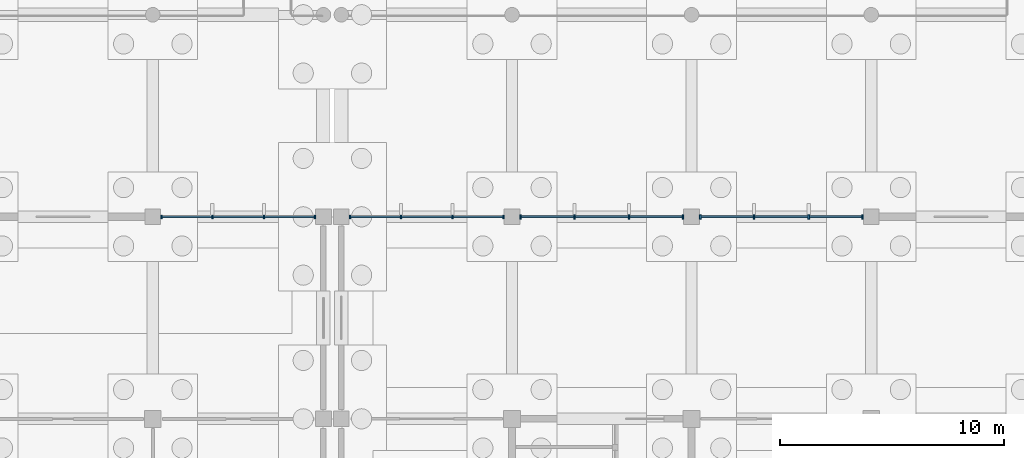
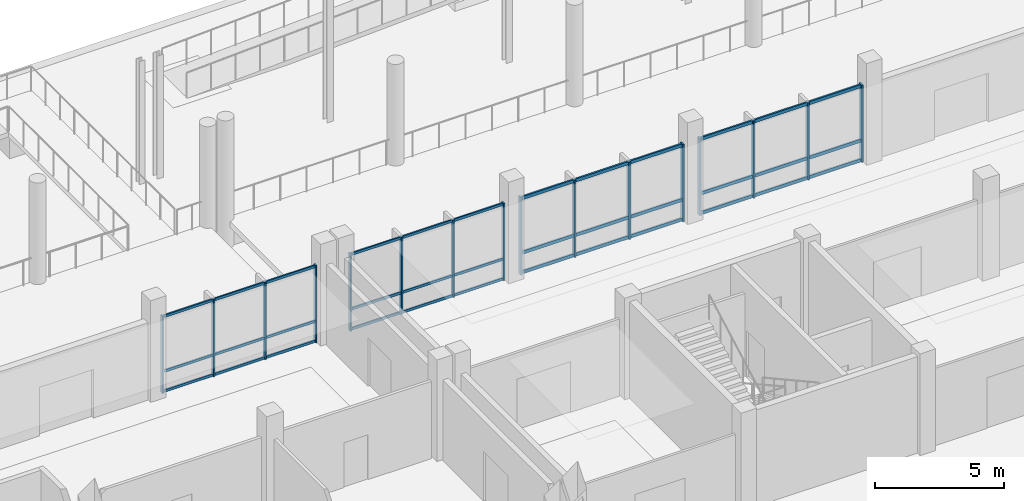
# One storey, part 27 of 72: 52 members, 4 elements without a shape of their own.
"""IFC4 building model written with IfcOpenShell, lengths in metres."""

from ifc_helpers import new_model, si_unit, direction, frame, origin, origin_2d, place, context, subcontext, project, spatial, rectangle, extrude, material, material_profile, profile_set, type_object, element, aggregate, save


model = new_model("IFC4")

# Units and contexts
model_context = context("Model", 3, precision=1e-05, world=origin(), true_north=direction((0.0, 1.0)))
body_context = subcontext(model_context, "Body", "Model", "MODEL_VIEW")
ifc_project = project(units=[si_unit("LENGTHUNIT", "METRE"), si_unit("AREAUNIT", "SQUARE_METRE"), si_unit("VOLUMEUNIT", "CUBIC_METRE"), si_unit("PLANEANGLEUNIT", "RADIAN"), si_unit("MASSUNIT", "GRAM", prefix="KILO"), si_unit("THERMODYNAMICTEMPERATUREUNIT", "KELVIN"), si_unit("POWERUNIT", "WATT")], contexts=[model_context])

# Site, building, storey
site_placement = place(None, origin())
site = spatial("IfcSite", under=ifc_project, at=site_placement, CompositionType="ELEMENT")
building_placement = place(site_placement, origin())
building = spatial("IfcBuilding", under=site, at=building_placement, Name="Kronsvod Quay Wholesale Market", CompositionType="ELEMENT")
storey_placement = place(building_placement, origin())
storey = spatial("IfcBuildingStorey", under=building, at=storey_placement, Name="L00", CompositionType="ELEMENT", Elevation=0.0)

# Curtain wall, members
ifc_material_1 = material(Name="Thermally broken aluminium and triple low-E glazing", Category="aluminium")
curtain_wall_type_1 = type_object("IfcCurtainWallType", Name="CW_Colonnade76x39", PredefinedType="NOTDEFINED", material=ifc_material_1)
curtain_wall_1_placement = place(storey_placement, origin())
curtain_wall_1 = element("IfcCurtainWall", 1, at=curtain_wall_1_placement, inside=storey, type_object=curtain_wall_type_1, Name="CWGX-L00-560-1170", PredefinedType="NOTDEFINED")
ifc_material_2 = material(Name="Anodised aluminium", Category="aluminium")
ifc_material_profile_1 = material_profile(ifc_material_2, rectangle(XDim=0.06494140625, YDim=0.159912109375, at=origin_2d()), Name="ALUM65x160")
ifc_profile_set_1 = profile_set([ifc_material_profile_1], Name="Anodised aluminium")
member_type_1 = type_object("IfcMemberType", Name="Mullion_ALU65x160", PredefinedType="MULLION", material=ifc_profile_set_1)
member_1_placement = place(storey_placement, frame((63.222412109375, 117.0, 0.0), z_axis=(0.0, 0.0, 1.0), x_axis=(1.0, 0.0, 0.0)))
member_1 = element("IfcMember", 2, at=member_1_placement, type_object=member_type_1, Name="CWGX-L00-560-1170-M1", PredefinedType="MULLION", context=body_context, shape_type="SweptSolid", body=[
    extrude(rectangle(XDim=0.06494140625, YDim=0.159912109375, at=origin_2d()), origin(), (0.0, 0.0, 1.0), 3.64990234375),
])
member_2_placement = place(storey_placement, frame((60.95166015625, 117.0, 0.0), z_axis=(0.0, 0.0, 1.0), x_axis=(1.0, 0.0, 0.0)))
member_2 = element("IfcMember", 3, at=member_2_placement, type_object=member_type_1, Name="CWGX-L00-560-1170-M2", PredefinedType="MULLION", context=body_context, shape_type="SweptSolid", body=[
    extrude(rectangle(XDim=0.06494140625, YDim=0.159912109375, at=origin_2d()), origin(), (0.0, 0.0, 1.0), 3.64990234375),
])
member_3_placement = place(storey_placement, frame((58.6484375, 117.0, 0.0), z_axis=(0.0, 0.0, 1.0), x_axis=(1.0, 0.0, 0.0)))
member_3 = element("IfcMember", 4, at=member_3_placement, type_object=member_type_1, Name="CWGX-L00-560-1170-M3", PredefinedType="MULLION", context=body_context, shape_type="SweptSolid", body=[
    extrude(rectangle(XDim=0.06494140625, YDim=0.159912109375, at=origin_2d()), origin(), (0.0, 0.0, 1.0), 3.64990234375),
])
member_4_placement = place(storey_placement, frame((56.37744140625, 117.0, 0.0), z_axis=(0.0, 0.0, 1.0), x_axis=(1.0, 0.0, 0.0)))
member_4 = element("IfcMember", 5, at=member_4_placement, type_object=member_type_1, Name="CWGX-L00-560-1170-M4", PredefinedType="MULLION", context=body_context, shape_type="SweptSolid", body=[
    extrude(rectangle(XDim=0.06494140625, YDim=0.159912109375, at=origin_2d()), origin(), (0.0, 0.0, 1.0), 3.64990234375),
])

curtain_wall_2_placement = place(storey_placement, origin())
curtain_wall_2 = element("IfcCurtainWall", 6, at=curtain_wall_2_placement, inside=storey, type_object=curtain_wall_type_1, Name="CWGX-L00-644-1170", PredefinedType="NOTDEFINED")
member_5_placement = place(storey_placement, frame((71.62255859375, 117.0, 0.0), z_axis=(0.0, 0.0, 1.0), x_axis=(1.0, 0.0, 0.0)))
member_5 = element("IfcMember", 7, at=member_5_placement, type_object=member_type_1, Name="CWGX-L00-644-1170-M1", PredefinedType="MULLION", context=body_context, shape_type="SweptSolid", body=[
    extrude(rectangle(XDim=0.06494140625, YDim=0.159912109375, at=origin_2d()), origin(), (0.0, 0.0, 1.0), 3.64990234375),
])
member_6_placement = place(storey_placement, frame((69.3515625, 117.0, 0.0), z_axis=(0.0, 0.0, 1.0), x_axis=(1.0, 0.0, 0.0)))
member_6 = element("IfcMember", 8, at=member_6_placement, type_object=member_type_1, Name="CWGX-L00-644-1170-M2", PredefinedType="MULLION", context=body_context, shape_type="SweptSolid", body=[
    extrude(rectangle(XDim=0.06494140625, YDim=0.159912109375, at=origin_2d()), origin(), (0.0, 0.0, 1.0), 3.64990234375),
])
member_7_placement = place(storey_placement, frame((67.04833984375, 117.0, 0.0), z_axis=(0.0, 0.0, 1.0), x_axis=(1.0, 0.0, 0.0)))
member_7 = element("IfcMember", 9, at=member_7_placement, type_object=member_type_1, Name="CWGX-L00-644-1170-M3", PredefinedType="MULLION", context=body_context, shape_type="SweptSolid", body=[
    extrude(rectangle(XDim=0.06494140625, YDim=0.159912109375, at=origin_2d()), origin(), (0.0, 0.0, 1.0), 3.64990234375),
])
member_8_placement = place(storey_placement, frame((64.777587890625, 117.0, 0.0), z_axis=(0.0, 0.0, 1.0), x_axis=(1.0, 0.0, 0.0)))
member_8 = element("IfcMember", 10, at=member_8_placement, type_object=member_type_1, Name="CWGX-L00-644-1170-M4", PredefinedType="MULLION", context=body_context, shape_type="SweptSolid", body=[
    extrude(rectangle(XDim=0.06494140625, YDim=0.159912109375, at=origin_2d()), origin(), (0.0, 0.0, 1.0), 3.64990234375),
])

ifc_material_3 = material(Name="Thermally broken aluminium and triple low-E glazing", Category="aluminium")
curtain_wall_type_2 = type_object("IfcCurtainWallType", Name="CW_Colonnade80x39", PredefinedType="NOTDEFINED", material=ifc_material_3)
curtain_wall_3_placement = place(storey_placement, origin())
curtain_wall_3 = element("IfcCurtainWall", 11, at=curtain_wall_3_placement, inside=storey, type_object=curtain_wall_type_2, Name="CWGX-L00-720-1170", PredefinedType="NOTDEFINED")
ifc_material_4 = material(Name="Anodised aluminium", Category="aluminium")
ifc_material_profile_2 = material_profile(ifc_material_4, rectangle(XDim=0.074951171875, YDim=0.199951171875, at=origin_2d()), Name="ALUM75x200")
ifc_profile_set_2 = profile_set([ifc_material_profile_2], Name="Anodised aluminium")
member_type_2 = type_object("IfcMemberType", Name="Mullion_ALU75x200", PredefinedType="MULLION", material=ifc_profile_set_2)
member_9_placement = place(storey_placement, frame((79.617431640625, 117.0, 0.0), z_axis=(0.0, 0.0, 1.0), x_axis=(1.0, 0.0, 0.0)))
member_9 = element("IfcMember", 12, at=member_9_placement, type_object=member_type_2, Name="CWGX-L00-720-1170-M1", PredefinedType="MULLION", context=body_context, shape_type="SweptSolid", body=[
    extrude(rectangle(XDim=0.074951171875, YDim=0.199951171875, at=origin_2d()), origin(), (0.0, 0.0, 1.0), 3.64990234375),
])
member_10_placement = place(storey_placement, frame((77.21826171875, 117.0, 0.0), z_axis=(0.0, 0.0, 1.0), x_axis=(1.0, 0.0, 0.0)))
member_10 = element("IfcMember", 13, at=member_10_placement, type_object=member_type_2, Name="CWGX-L00-720-1170-M2", PredefinedType="MULLION", context=body_context, shape_type="SweptSolid", body=[
    extrude(rectangle(XDim=0.074951171875, YDim=0.199951171875, at=origin_2d()), origin(), (0.0, 0.0, 1.0), 3.64990234375),
])
member_11_placement = place(storey_placement, frame((74.78173828125, 117.0, 0.0), z_axis=(0.0, 0.0, 1.0), x_axis=(1.0, 0.0, 0.0)))
member_11 = element("IfcMember", 14, at=member_11_placement, type_object=member_type_2, Name="CWGX-L00-720-1170-M3", PredefinedType="MULLION", context=body_context, shape_type="SweptSolid", body=[
    extrude(rectangle(XDim=0.074951171875, YDim=0.199951171875, at=origin_2d()), origin(), (0.0, 0.0, 1.0), 3.64990234375),
])
member_12_placement = place(storey_placement, frame((72.382568359375, 117.0, 0.0), z_axis=(0.0, 0.0, 1.0), x_axis=(1.0, 0.0, 0.0)))
member_12 = element("IfcMember", 15, at=member_12_placement, type_object=member_type_2, Name="CWGX-L00-720-1170-M4", PredefinedType="MULLION", context=body_context, shape_type="SweptSolid", body=[
    extrude(rectangle(XDim=0.074951171875, YDim=0.199951171875, at=origin_2d()), origin(), (0.0, 0.0, 1.0), 3.64990234375),
])

curtain_wall_4_placement = place(storey_placement, origin())
curtain_wall_4 = element("IfcCurtainWall", 16, at=curtain_wall_4_placement, inside=storey, type_object=curtain_wall_type_2, Name="CWGX-L00-800-1170", PredefinedType="NOTDEFINED")
member_13_placement = place(storey_placement, frame((87.617431640625, 117.0, 0.0), z_axis=(0.0, 0.0, 1.0), x_axis=(1.0, 0.0, 0.0)))
member_13 = element("IfcMember", 17, at=member_13_placement, type_object=member_type_2, Name="CWGX-L00-800-1170-M1", PredefinedType="MULLION", context=body_context, shape_type="SweptSolid", body=[
    extrude(rectangle(XDim=0.074951171875, YDim=0.199951171875, at=origin_2d()), origin(), (0.0, 0.0, 1.0), 3.64990234375),
])
member_14_placement = place(storey_placement, frame((85.21826171875, 117.0, 0.0), z_axis=(0.0, 0.0, 1.0), x_axis=(1.0, 0.0, 0.0)))
member_14 = element("IfcMember", 18, at=member_14_placement, type_object=member_type_2, Name="CWGX-L00-800-1170-M2", PredefinedType="MULLION", context=body_context, shape_type="SweptSolid", body=[
    extrude(rectangle(XDim=0.074951171875, YDim=0.199951171875, at=origin_2d()), origin(), (0.0, 0.0, 1.0), 3.64990234375),
])
member_15_placement = place(storey_placement, frame((82.78173828125, 117.0, 0.0), z_axis=(0.0, 0.0, 1.0), x_axis=(1.0, 0.0, 0.0)))
member_15 = element("IfcMember", 19, at=member_15_placement, type_object=member_type_2, Name="CWGX-L00-800-1170-M3", PredefinedType="MULLION", context=body_context, shape_type="SweptSolid", body=[
    extrude(rectangle(XDim=0.074951171875, YDim=0.199951171875, at=origin_2d()), origin(), (0.0, 0.0, 1.0), 3.64990234375),
])
member_16_placement = place(storey_placement, frame((80.382568359375, 117.0, 0.0), z_axis=(0.0, 0.0, 1.0), x_axis=(1.0, 0.0, 0.0)))
member_16 = element("IfcMember", 20, at=member_16_placement, type_object=member_type_2, Name="CWGX-L00-800-1170-M4", PredefinedType="MULLION", context=body_context, shape_type="SweptSolid", body=[
    extrude(rectangle(XDim=0.074951171875, YDim=0.199951171875, at=origin_2d()), origin(), (0.0, 0.0, 1.0), 3.64990234375),
])

# Member
ifc_material_5 = material(Name="Anodised aluminium", Category="aluminium")
ifc_material_profile_3 = material_profile(ifc_material_5, rectangle(XDim=0.06494140625, YDim=0.1201171875, at=origin_2d()), Name="ALUT65x120")
ifc_profile_set_3 = profile_set([ifc_material_profile_3], Name="Anodised aluminium")
member_type_3 = type_object("IfcMemberType", Name="Transom_ALU65x120", PredefinedType="USERDEFINED", material=ifc_profile_set_3)
member_17_placement = place(storey_placement, frame((63.18994140625, 117.0, 0.06005859375), z_axis=(-1.0, 0.0, 0.0), x_axis=(0.0, -1.0, 0.0)))
member_17 = element("IfcMember", 21, at=member_17_placement, type_object=member_type_3, Name="CWGX-L00-560-1170-T1B1", ObjectType="TRANSOM", PredefinedType="USERDEFINED", context=body_context, shape_type="SweptSolid", body=[
    extrude(rectangle(XDim=0.06494140625, YDim=0.1201171875, at=origin_2d()), origin(), (0.0, 0.0, 1.0), 2.205810546875),
])

member_18_placement = place(storey_placement, frame((60.919189453125, 117.0, 0.06005859375), z_axis=(-1.0, 0.0, 0.0), x_axis=(0.0, -1.0, 0.0)))
member_18 = element("IfcMember", 22, at=member_18_placement, type_object=member_type_3, Name="CWGX-L00-560-1170-T1B2", ObjectType="TRANSOM", PredefinedType="USERDEFINED", context=body_context, shape_type="SweptSolid", body=[
    extrude(rectangle(XDim=0.06494140625, YDim=0.1201171875, at=origin_2d()), origin(), (0.0, 0.0, 1.0), 2.23828125),
])

member_19_placement = place(storey_placement, frame((58.61572265625, 117.0, 0.06005859375), z_axis=(-1.0, 0.0, 0.0), x_axis=(0.0, -1.0, 0.0)))
member_19 = element("IfcMember", 23, at=member_19_placement, type_object=member_type_3, Name="CWGX-L00-560-1170-T1B3", ObjectType="TRANSOM", PredefinedType="USERDEFINED", context=body_context, shape_type="SweptSolid", body=[
    extrude(rectangle(XDim=0.06494140625, YDim=0.1201171875, at=origin_2d()), origin(), (0.0, 0.0, 1.0), 2.205810546875),
])

member_20_placement = place(storey_placement, frame((63.18994140625, 117.0, 1.0), z_axis=(-1.0, 0.0, 0.0), x_axis=(0.0, -1.0, 0.0)))
member_20 = element("IfcMember", 24, at=member_20_placement, type_object=member_type_3, Name="CWGX-L00-560-1170-T2B1", ObjectType="TRANSOM", PredefinedType="USERDEFINED", context=body_context, shape_type="SweptSolid", body=[
    extrude(rectangle(XDim=0.06494140625, YDim=0.1201171875, at=origin_2d()), origin(), (0.0, 0.0, 1.0), 2.205810546875),
])

member_21_placement = place(storey_placement, frame((60.919189453125, 117.0, 1.0), z_axis=(-1.0, 0.0, 0.0), x_axis=(0.0, -1.0, 0.0)))
member_21 = element("IfcMember", 25, at=member_21_placement, type_object=member_type_3, Name="CWGX-L00-560-1170-T2B2", ObjectType="TRANSOM", PredefinedType="USERDEFINED", context=body_context, shape_type="SweptSolid", body=[
    extrude(rectangle(XDim=0.06494140625, YDim=0.1201171875, at=origin_2d()), origin(), (0.0, 0.0, 1.0), 2.23828125),
])

member_22_placement = place(storey_placement, frame((58.61572265625, 117.0, 1.0), z_axis=(-1.0, 0.0, 0.0), x_axis=(0.0, -1.0, 0.0)))
member_22 = element("IfcMember", 26, at=member_22_placement, type_object=member_type_3, Name="CWGX-L00-560-1170-T2B3", ObjectType="TRANSOM", PredefinedType="USERDEFINED", context=body_context, shape_type="SweptSolid", body=[
    extrude(rectangle(XDim=0.06494140625, YDim=0.1201171875, at=origin_2d()), origin(), (0.0, 0.0, 1.0), 2.205810546875),
])

member_23_placement = place(storey_placement, frame((63.18994140625, 117.0, 3.590087890625), z_axis=(-1.0, 0.0, 0.0), x_axis=(0.0, -1.0, 0.0)))
member_23 = element("IfcMember", 27, at=member_23_placement, type_object=member_type_3, Name="CWGX-L00-560-1170-T3B1", ObjectType="TRANSOM", PredefinedType="USERDEFINED", context=body_context, shape_type="SweptSolid", body=[
    extrude(rectangle(XDim=0.06494140625, YDim=0.1201171875, at=origin_2d()), origin(), (0.0, 0.0, 1.0), 2.205810546875),
])

member_24_placement = place(storey_placement, frame((60.919189453125, 117.0, 3.590087890625), z_axis=(-1.0, 0.0, 0.0), x_axis=(0.0, -1.0, 0.0)))
member_24 = element("IfcMember", 28, at=member_24_placement, type_object=member_type_3, Name="CWGX-L00-560-1170-T3B2", ObjectType="TRANSOM", PredefinedType="USERDEFINED", context=body_context, shape_type="SweptSolid", body=[
    extrude(rectangle(XDim=0.06494140625, YDim=0.1201171875, at=origin_2d()), origin(), (0.0, 0.0, 1.0), 2.23828125),
])

member_25_placement = place(storey_placement, frame((58.61572265625, 117.0, 3.590087890625), z_axis=(-1.0, 0.0, 0.0), x_axis=(0.0, -1.0, 0.0)))
member_25 = element("IfcMember", 29, at=member_25_placement, type_object=member_type_3, Name="CWGX-L00-560-1170-T3B3", ObjectType="TRANSOM", PredefinedType="USERDEFINED", context=body_context, shape_type="SweptSolid", body=[
    extrude(rectangle(XDim=0.06494140625, YDim=0.1201171875, at=origin_2d()), origin(), (0.0, 0.0, 1.0), 2.205810546875),
])

aggregate(curtain_wall_1, [member_1, member_2, member_3, member_4, member_17, member_18, member_19, member_20, member_21, member_22, member_23, member_24, member_25])

member_26_placement = place(storey_placement, frame((71.590087890625, 117.0, 0.06005859375), z_axis=(-1.0, 0.0, 0.0), x_axis=(0.0, -1.0, 0.0)))
member_26 = element("IfcMember", 30, at=member_26_placement, type_object=member_type_3, Name="CWGX-L00-644-1170-T1B1", ObjectType="TRANSOM", PredefinedType="USERDEFINED", context=body_context, shape_type="SweptSolid", body=[
    extrude(rectangle(XDim=0.06494140625, YDim=0.1201171875, at=origin_2d()), origin(), (0.0, 0.0, 1.0), 2.205810546875),
])

member_27_placement = place(storey_placement, frame((69.319091796875, 117.0, 0.06005859375), z_axis=(-1.0, 0.0, 0.0), x_axis=(0.0, -1.0, 0.0)))
member_27 = element("IfcMember", 31, at=member_27_placement, type_object=member_type_3, Name="CWGX-L00-644-1170-T1B2", ObjectType="TRANSOM", PredefinedType="USERDEFINED", context=body_context, shape_type="SweptSolid", body=[
    extrude(rectangle(XDim=0.06494140625, YDim=0.1201171875, at=origin_2d()), origin(), (0.0, 0.0, 1.0), 2.23828125),
])

member_28_placement = place(storey_placement, frame((67.015869140625, 117.0, 0.06005859375), z_axis=(-1.0, 0.0, 0.0), x_axis=(0.0, -1.0, 0.0)))
member_28 = element("IfcMember", 32, at=member_28_placement, type_object=member_type_3, Name="CWGX-L00-644-1170-T1B3", ObjectType="TRANSOM", PredefinedType="USERDEFINED", context=body_context, shape_type="SweptSolid", body=[
    extrude(rectangle(XDim=0.06494140625, YDim=0.1201171875, at=origin_2d()), origin(), (0.0, 0.0, 1.0), 2.205810546875),
])

member_29_placement = place(storey_placement, frame((71.590087890625, 117.0, 1.0), z_axis=(-1.0, 0.0, 0.0), x_axis=(0.0, -1.0, 0.0)))
member_29 = element("IfcMember", 33, at=member_29_placement, type_object=member_type_3, Name="CWGX-L00-644-1170-T2B1", ObjectType="TRANSOM", PredefinedType="USERDEFINED", context=body_context, shape_type="SweptSolid", body=[
    extrude(rectangle(XDim=0.06494140625, YDim=0.1201171875, at=origin_2d()), origin(), (0.0, 0.0, 1.0), 2.205810546875),
])

member_30_placement = place(storey_placement, frame((69.319091796875, 117.0, 1.0), z_axis=(-1.0, 0.0, 0.0), x_axis=(0.0, -1.0, 0.0)))
member_30 = element("IfcMember", 34, at=member_30_placement, type_object=member_type_3, Name="CWGX-L00-644-1170-T2B2", ObjectType="TRANSOM", PredefinedType="USERDEFINED", context=body_context, shape_type="SweptSolid", body=[
    extrude(rectangle(XDim=0.06494140625, YDim=0.1201171875, at=origin_2d()), origin(), (0.0, 0.0, 1.0), 2.23828125),
])

member_31_placement = place(storey_placement, frame((67.015869140625, 117.0, 1.0), z_axis=(-1.0, 0.0, 0.0), x_axis=(0.0, -1.0, 0.0)))
member_31 = element("IfcMember", 35, at=member_31_placement, type_object=member_type_3, Name="CWGX-L00-644-1170-T2B3", ObjectType="TRANSOM", PredefinedType="USERDEFINED", context=body_context, shape_type="SweptSolid", body=[
    extrude(rectangle(XDim=0.06494140625, YDim=0.1201171875, at=origin_2d()), origin(), (0.0, 0.0, 1.0), 2.205810546875),
])

member_32_placement = place(storey_placement, frame((71.590087890625, 117.0, 3.590087890625), z_axis=(-1.0, 0.0, 0.0), x_axis=(0.0, -1.0, 0.0)))
member_32 = element("IfcMember", 36, at=member_32_placement, type_object=member_type_3, Name="CWGX-L00-644-1170-T3B1", ObjectType="TRANSOM", PredefinedType="USERDEFINED", context=body_context, shape_type="SweptSolid", body=[
    extrude(rectangle(XDim=0.06494140625, YDim=0.1201171875, at=origin_2d()), origin(), (0.0, 0.0, 1.0), 2.205810546875),
])

member_33_placement = place(storey_placement, frame((69.319091796875, 117.0, 3.590087890625), z_axis=(-1.0, 0.0, 0.0), x_axis=(0.0, -1.0, 0.0)))
member_33 = element("IfcMember", 37, at=member_33_placement, type_object=member_type_3, Name="CWGX-L00-644-1170-T3B2", ObjectType="TRANSOM", PredefinedType="USERDEFINED", context=body_context, shape_type="SweptSolid", body=[
    extrude(rectangle(XDim=0.06494140625, YDim=0.1201171875, at=origin_2d()), origin(), (0.0, 0.0, 1.0), 2.23828125),
])

member_34_placement = place(storey_placement, frame((67.015869140625, 117.0, 3.590087890625), z_axis=(-1.0, 0.0, 0.0), x_axis=(0.0, -1.0, 0.0)))
member_34 = element("IfcMember", 38, at=member_34_placement, type_object=member_type_3, Name="CWGX-L00-644-1170-T3B3", ObjectType="TRANSOM", PredefinedType="USERDEFINED", context=body_context, shape_type="SweptSolid", body=[
    extrude(rectangle(XDim=0.06494140625, YDim=0.1201171875, at=origin_2d()), origin(), (0.0, 0.0, 1.0), 2.205810546875),
])

aggregate(curtain_wall_2, [member_5, member_6, member_7, member_8, member_26, member_27, member_28, member_29, member_30, member_31, member_32, member_33, member_34])

ifc_material_6 = material(Name="Anodised aluminium", Category="aluminium")
ifc_material_profile_4 = material_profile(ifc_material_6, rectangle(XDim=0.074951171875, YDim=0.14990234375, at=origin_2d()), Name="ALUT75x150")
ifc_profile_set_4 = profile_set([ifc_material_profile_4], Name="Anodised aluminium")
member_type_4 = type_object("IfcMemberType", Name="Transom_ALU75x150", PredefinedType="USERDEFINED", material=ifc_profile_set_4)
member_35_placement = place(storey_placement, frame((79.580078125, 117.0, 0.074951171875), z_axis=(-1.0, 0.0, 0.0), x_axis=(0.0, -1.0, 0.0)))
member_35 = element("IfcMember", 39, at=member_35_placement, type_object=member_type_4, Name="CWGX-L00-720-1170-T1B1", ObjectType="TRANSOM", PredefinedType="USERDEFINED", context=body_context, shape_type="SweptSolid", body=[
    extrude(rectangle(XDim=0.074951171875, YDim=0.14990234375, at=origin_2d()), origin(), (0.0, 0.0, 1.0), 2.32421875),
])

member_36_placement = place(storey_placement, frame((77.180908203125, 117.0, 0.074951171875), z_axis=(-1.0, 0.0, 0.0), x_axis=(0.0, -1.0, 0.0)))
member_36 = element("IfcMember", 40, at=member_36_placement, type_object=member_type_4, Name="CWGX-L00-720-1170-T1B2", ObjectType="TRANSOM", PredefinedType="USERDEFINED", context=body_context, shape_type="SweptSolid", body=[
    extrude(rectangle(XDim=0.074951171875, YDim=0.14990234375, at=origin_2d()), origin(), (0.0, 0.0, 1.0), 2.36181640625),
])

member_37_placement = place(storey_placement, frame((74.744140625, 117.0, 0.074951171875), z_axis=(-1.0, 0.0, 0.0), x_axis=(0.0, -1.0, 0.0)))
member_37 = element("IfcMember", 41, at=member_37_placement, type_object=member_type_4, Name="CWGX-L00-720-1170-T1B3", ObjectType="TRANSOM", PredefinedType="USERDEFINED", context=body_context, shape_type="SweptSolid", body=[
    extrude(rectangle(XDim=0.074951171875, YDim=0.14990234375, at=origin_2d()), origin(), (0.0, 0.0, 1.0), 2.32421875),
])

member_38_placement = place(storey_placement, frame((79.580078125, 117.0, 1.0), z_axis=(-1.0, 0.0, 0.0), x_axis=(0.0, -1.0, 0.0)))
member_38 = element("IfcMember", 42, at=member_38_placement, type_object=member_type_4, Name="CWGX-L00-720-1170-T2B1", ObjectType="TRANSOM", PredefinedType="USERDEFINED", context=body_context, shape_type="SweptSolid", body=[
    extrude(rectangle(XDim=0.074951171875, YDim=0.14990234375, at=origin_2d()), origin(), (0.0, 0.0, 1.0), 2.32421875),
])

member_39_placement = place(storey_placement, frame((77.180908203125, 117.0, 1.0), z_axis=(-1.0, 0.0, 0.0), x_axis=(0.0, -1.0, 0.0)))
member_39 = element("IfcMember", 43, at=member_39_placement, type_object=member_type_4, Name="CWGX-L00-720-1170-T2B2", ObjectType="TRANSOM", PredefinedType="USERDEFINED", context=body_context, shape_type="SweptSolid", body=[
    extrude(rectangle(XDim=0.074951171875, YDim=0.14990234375, at=origin_2d()), origin(), (0.0, 0.0, 1.0), 2.36181640625),
])

member_40_placement = place(storey_placement, frame((74.744140625, 117.0, 1.0), z_axis=(-1.0, 0.0, 0.0), x_axis=(0.0, -1.0, 0.0)))
member_40 = element("IfcMember", 44, at=member_40_placement, type_object=member_type_4, Name="CWGX-L00-720-1170-T2B3", ObjectType="TRANSOM", PredefinedType="USERDEFINED", context=body_context, shape_type="SweptSolid", body=[
    extrude(rectangle(XDim=0.074951171875, YDim=0.14990234375, at=origin_2d()), origin(), (0.0, 0.0, 1.0), 2.32421875),
])

member_41_placement = place(storey_placement, frame((79.580078125, 117.0, 3.574951171875), z_axis=(-1.0, 0.0, 0.0), x_axis=(0.0, -1.0, 0.0)))
member_41 = element("IfcMember", 45, at=member_41_placement, type_object=member_type_4, Name="CWGX-L00-720-1170-T3B1", ObjectType="TRANSOM", PredefinedType="USERDEFINED", context=body_context, shape_type="SweptSolid", body=[
    extrude(rectangle(XDim=0.074951171875, YDim=0.14990234375, at=origin_2d()), origin(), (0.0, 0.0, 1.0), 2.32421875),
])

member_42_placement = place(storey_placement, frame((77.180908203125, 117.0, 3.574951171875), z_axis=(-1.0, 0.0, 0.0), x_axis=(0.0, -1.0, 0.0)))
member_42 = element("IfcMember", 46, at=member_42_placement, type_object=member_type_4, Name="CWGX-L00-720-1170-T3B2", ObjectType="TRANSOM", PredefinedType="USERDEFINED", context=body_context, shape_type="SweptSolid", body=[
    extrude(rectangle(XDim=0.074951171875, YDim=0.14990234375, at=origin_2d()), origin(), (0.0, 0.0, 1.0), 2.36181640625),
])

member_43_placement = place(storey_placement, frame((74.744140625, 117.0, 3.574951171875), z_axis=(-1.0, 0.0, 0.0), x_axis=(0.0, -1.0, 0.0)))
member_43 = element("IfcMember", 47, at=member_43_placement, type_object=member_type_4, Name="CWGX-L00-720-1170-T3B3", ObjectType="TRANSOM", PredefinedType="USERDEFINED", context=body_context, shape_type="SweptSolid", body=[
    extrude(rectangle(XDim=0.074951171875, YDim=0.14990234375, at=origin_2d()), origin(), (0.0, 0.0, 1.0), 2.32421875),
])

aggregate(curtain_wall_3, [member_9, member_10, member_11, member_12, member_35, member_36, member_37, member_38, member_39, member_40, member_41, member_42, member_43])

member_44_placement = place(storey_placement, frame((87.580078125, 117.0, 0.074951171875), z_axis=(-1.0, 0.0, 0.0), x_axis=(0.0, -1.0, 0.0)))
member_44 = element("IfcMember", 48, at=member_44_placement, type_object=member_type_4, Name="CWGX-L00-800-1170-T1B1", ObjectType="TRANSOM", PredefinedType="USERDEFINED", context=body_context, shape_type="SweptSolid", body=[
    extrude(rectangle(XDim=0.074951171875, YDim=0.14990234375, at=origin_2d()), origin(), (0.0, 0.0, 1.0), 2.32421875),
])

member_45_placement = place(storey_placement, frame((85.180908203125, 117.0, 0.074951171875), z_axis=(-1.0, 0.0, 0.0), x_axis=(0.0, -1.0, 0.0)))
member_45 = element("IfcMember", 49, at=member_45_placement, type_object=member_type_4, Name="CWGX-L00-800-1170-T1B2", ObjectType="TRANSOM", PredefinedType="USERDEFINED", context=body_context, shape_type="SweptSolid", body=[
    extrude(rectangle(XDim=0.074951171875, YDim=0.14990234375, at=origin_2d()), origin(), (0.0, 0.0, 1.0), 2.36181640625),
])

member_46_placement = place(storey_placement, frame((82.744140625, 117.0, 0.074951171875), z_axis=(-1.0, 0.0, 0.0), x_axis=(0.0, -1.0, 0.0)))
member_46 = element("IfcMember", 50, at=member_46_placement, type_object=member_type_4, Name="CWGX-L00-800-1170-T1B3", ObjectType="TRANSOM", PredefinedType="USERDEFINED", context=body_context, shape_type="SweptSolid", body=[
    extrude(rectangle(XDim=0.074951171875, YDim=0.14990234375, at=origin_2d()), origin(), (0.0, 0.0, 1.0), 2.32421875),
])

member_47_placement = place(storey_placement, frame((87.580078125, 117.0, 1.0), z_axis=(-1.0, 0.0, 0.0), x_axis=(0.0, -1.0, 0.0)))
member_47 = element("IfcMember", 51, at=member_47_placement, type_object=member_type_4, Name="CWGX-L00-800-1170-T2B1", ObjectType="TRANSOM", PredefinedType="USERDEFINED", context=body_context, shape_type="SweptSolid", body=[
    extrude(rectangle(XDim=0.074951171875, YDim=0.14990234375, at=origin_2d()), origin(), (0.0, 0.0, 1.0), 2.32421875),
])

member_48_placement = place(storey_placement, frame((85.180908203125, 117.0, 1.0), z_axis=(-1.0, 0.0, 0.0), x_axis=(0.0, -1.0, 0.0)))
member_48 = element("IfcMember", 52, at=member_48_placement, type_object=member_type_4, Name="CWGX-L00-800-1170-T2B2", ObjectType="TRANSOM", PredefinedType="USERDEFINED", context=body_context, shape_type="SweptSolid", body=[
    extrude(rectangle(XDim=0.074951171875, YDim=0.14990234375, at=origin_2d()), origin(), (0.0, 0.0, 1.0), 2.36181640625),
])

member_49_placement = place(storey_placement, frame((82.744140625, 117.0, 1.0), z_axis=(-1.0, 0.0, 0.0), x_axis=(0.0, -1.0, 0.0)))
member_49 = element("IfcMember", 53, at=member_49_placement, type_object=member_type_4, Name="CWGX-L00-800-1170-T2B3", ObjectType="TRANSOM", PredefinedType="USERDEFINED", context=body_context, shape_type="SweptSolid", body=[
    extrude(rectangle(XDim=0.074951171875, YDim=0.14990234375, at=origin_2d()), origin(), (0.0, 0.0, 1.0), 2.32421875),
])

member_50_placement = place(storey_placement, frame((87.580078125, 117.0, 3.574951171875), z_axis=(-1.0, 0.0, 0.0), x_axis=(0.0, -1.0, 0.0)))
member_50 = element("IfcMember", 54, at=member_50_placement, type_object=member_type_4, Name="CWGX-L00-800-1170-T3B1", ObjectType="TRANSOM", PredefinedType="USERDEFINED", context=body_context, shape_type="SweptSolid", body=[
    extrude(rectangle(XDim=0.074951171875, YDim=0.14990234375, at=origin_2d()), origin(), (0.0, 0.0, 1.0), 2.32421875),
])

member_51_placement = place(storey_placement, frame((85.180908203125, 117.0, 3.574951171875), z_axis=(-1.0, 0.0, 0.0), x_axis=(0.0, -1.0, 0.0)))
member_51 = element("IfcMember", 55, at=member_51_placement, type_object=member_type_4, Name="CWGX-L00-800-1170-T3B2", ObjectType="TRANSOM", PredefinedType="USERDEFINED", context=body_context, shape_type="SweptSolid", body=[
    extrude(rectangle(XDim=0.074951171875, YDim=0.14990234375, at=origin_2d()), origin(), (0.0, 0.0, 1.0), 2.36181640625),
])

member_52_placement = place(storey_placement, frame((82.744140625, 117.0, 3.574951171875), z_axis=(-1.0, 0.0, 0.0), x_axis=(0.0, -1.0, 0.0)))
member_52 = element("IfcMember", 56, at=member_52_placement, type_object=member_type_4, Name="CWGX-L00-800-1170-T3B3", ObjectType="TRANSOM", PredefinedType="USERDEFINED", context=body_context, shape_type="SweptSolid", body=[
    extrude(rectangle(XDim=0.074951171875, YDim=0.14990234375, at=origin_2d()), origin(), (0.0, 0.0, 1.0), 2.32421875),
])

aggregate(curtain_wall_4, [member_13, member_14, member_15, member_16, member_44, member_45, member_46, member_47, member_48, member_49, member_50, member_51, member_52])

save(model, "model.ifc")
